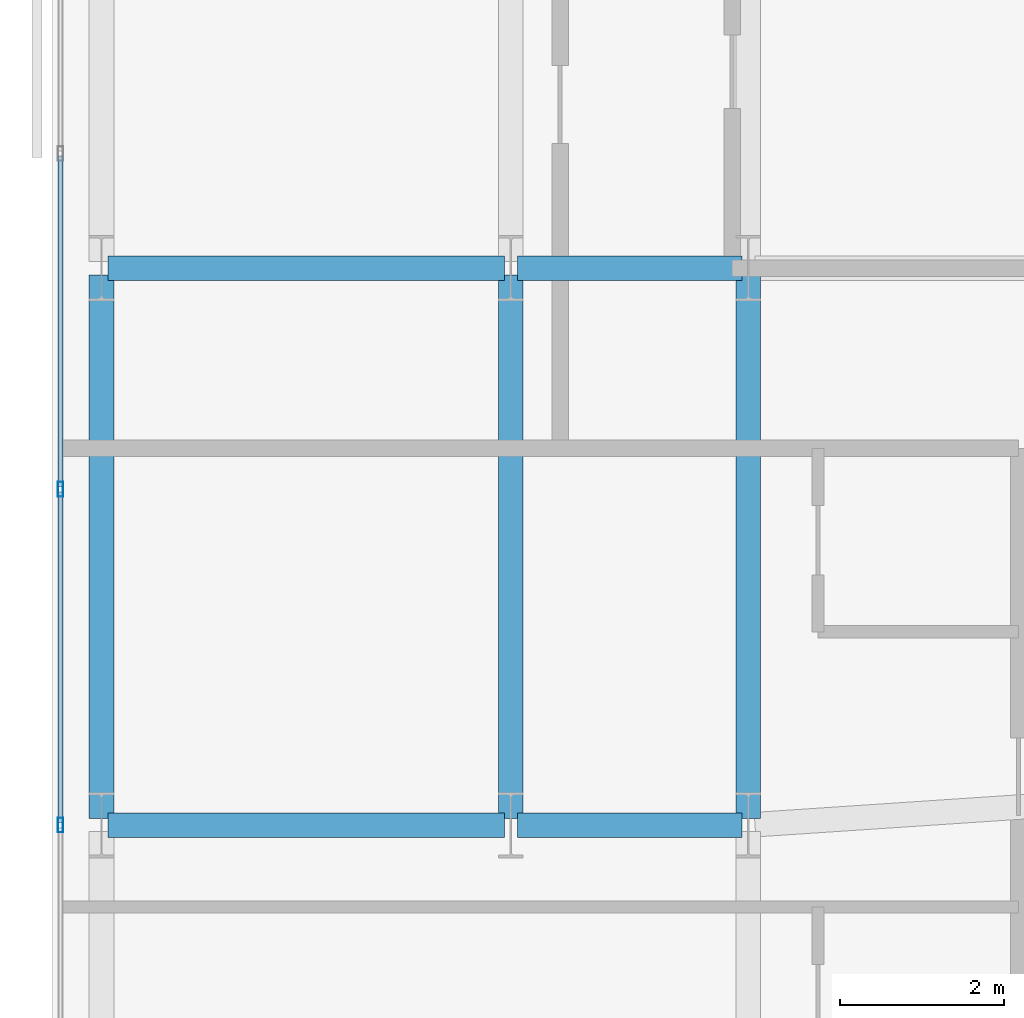
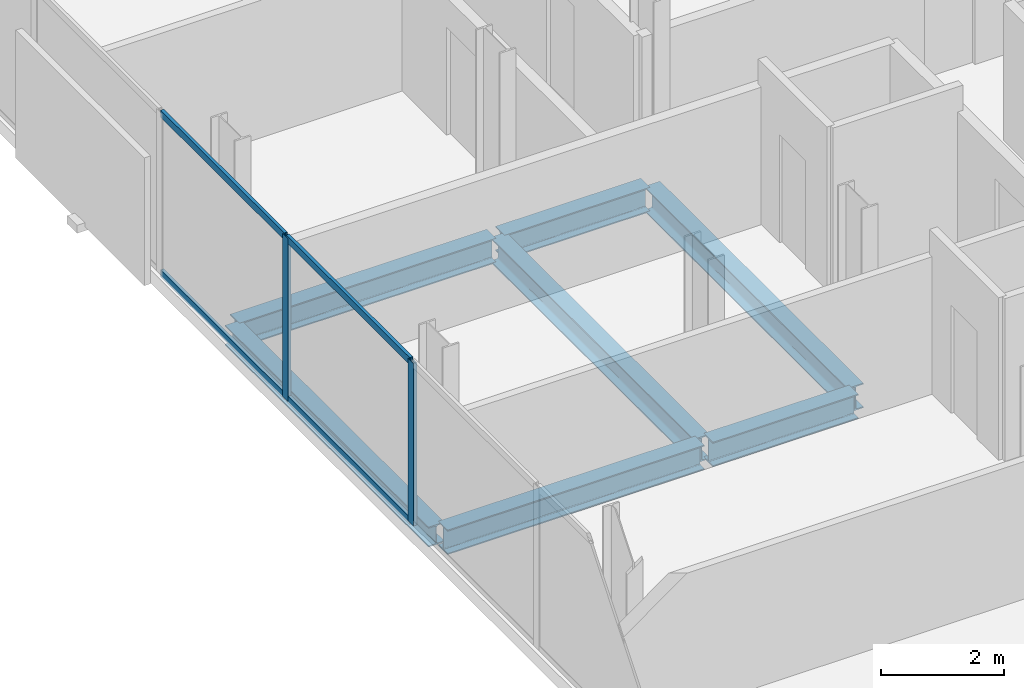
# One storey, part 11 of 33: 7 beams, 6 members, 1 element without a shape of its own.
"""IFC4 building model written with IfcOpenShell, lengths in metres."""

from ifc_helpers import new_model, si_unit, direction, frame, origin, origin_2d, place, context, subcontext, project, spatial, hollow_rectangle, i_section, extrude, material, layer, layer_set, material_profile, profile_set, type_object, element, aggregate, save


model = new_model("IFC4")

# Units and contexts
model_context = context("Model", 3, precision=1e-05, world=origin(), true_north=direction((0.0, 1.0)))
body_context = subcontext(model_context, "Body", "Model", "MODEL_VIEW")
ifc_project = project(units=[si_unit("LENGTHUNIT", "METRE"), si_unit("AREAUNIT", "SQUARE_METRE"), si_unit("VOLUMEUNIT", "CUBIC_METRE"), si_unit("PLANEANGLEUNIT", "RADIAN"), si_unit("MASSUNIT", "GRAM", prefix="KILO")], contexts=[model_context])

# Site, building, storey
site_placement = place(None, origin())
site = spatial("IfcSite", under=ifc_project, at=site_placement, CompositionType="ELEMENT")
building_placement = place(site_placement, origin())
building = spatial("IfcBuilding", under=site, at=building_placement, Name="Catumbela Crestline Tower", CompositionType="ELEMENT")
storey_placement = place(building_placement, frame((0.0, 0.0, 76.2)))
storey = spatial("IfcBuildingStorey", under=building, at=storey_placement, Name="L19", CompositionType="ELEMENT", Elevation=76.2)

# Beams
ifc_material_1 = material(Name="Structural steel S355J2", Category="steel")
ifc_material_profile_1 = material_profile(ifc_material_1, i_section(OverallWidth=0.3, OverallDepth=0.49, WebThickness=0.012, FlangeThickness=0.023, FilletRadius=0.027, at=origin_2d()), Name="HEA 500")
ifc_profile_set_1 = profile_set([ifc_material_profile_1], Name="Structural steel S355J2")
beam_type_1 = type_object("IfcBeamType", Name="BG-HEA500", PredefinedType="BEAM", material=ifc_profile_set_1)
beam_1_placement = place(storey_placement, frame((0.68, 24.0, -0.505), z_axis=(1.0, 0.0, 0.0), x_axis=(0.0, 1.0, 0.0)))
element("IfcBeam", 1, at=beam_1_placement, inside=storey, type_object=beam_type_1, Name="L19 Beam BM-L19-S01", PredefinedType="BEAM", context=body_context, shape_type="SweptSolid", body=[
    extrude(i_section(OverallWidth=0.3, OverallDepth=0.49, WebThickness=0.012, FlangeThickness=0.023, FilletRadius=0.027, at=origin_2d()), origin(), (0.0, 0.0, 1.0), 4.84),
])
beam_2_placement = place(storey_placement, frame((5.68, 24.0, -0.505), z_axis=(1.0, 0.0, 0.0), x_axis=(0.0, 1.0, 0.0)))
element("IfcBeam", 2, at=beam_2_placement, inside=storey, type_object=beam_type_1, Name="L19 Beam BM-L19-S02", PredefinedType="BEAM", context=body_context, shape_type="SweptSolid", body=[
    extrude(i_section(OverallWidth=0.3, OverallDepth=0.49, WebThickness=0.012, FlangeThickness=0.023, FilletRadius=0.027, at=origin_2d()), origin(), (0.0, 0.0, 1.0), 2.74),
])
beam_3_placement = place(storey_placement, frame((0.68, 30.8, -0.505), z_axis=(1.0, 0.0, 0.0), x_axis=(0.0, 1.0, 0.0)))
element("IfcBeam", 3, at=beam_3_placement, inside=storey, type_object=beam_type_1, Name="L19 Beam BM-L19-M07", PredefinedType="BEAM", context=body_context, shape_type="SweptSolid", body=[
    extrude(i_section(OverallWidth=0.3, OverallDepth=0.49, WebThickness=0.012, FlangeThickness=0.023, FilletRadius=0.027, at=origin_2d()), origin(), (0.0, 0.0, 1.0), 4.84),
])
beam_4_placement = place(storey_placement, frame((5.68, 30.8, -0.505), z_axis=(1.0, 0.0, 0.0), x_axis=(0.0, 1.0, 0.0)))
element("IfcBeam", 4, at=beam_4_placement, inside=storey, type_object=beam_type_1, Name="L19 Beam BM-L19-M08", PredefinedType="BEAM", context=body_context, shape_type="SweptSolid", body=[
    extrude(i_section(OverallWidth=0.3, OverallDepth=0.49, WebThickness=0.012, FlangeThickness=0.023, FilletRadius=0.027, at=origin_2d()), origin(), (0.0, 0.0, 1.0), 2.74),
])
for number, where, z_axis, x_axis, name in (
    (5, (5.6, 24.08, -0.505), (0.0, 1.0, 0.0), (-1.0, 0.0, 0.0), "L19 Beam BM-L19-SN27"),
    (6, (8.5, 24.08, -0.505), (0.0, 1.0, 0.0), (-1.0, 0.0, 0.0), "L19 Beam BM-L19-SN29"),
):
    element("IfcBeam", number, at=place(storey_placement, frame(where, z_axis=z_axis, x_axis=x_axis)), inside=storey, type_object=beam_type_1, Name=name, PredefinedType="BEAM", context=body_context, shape_type="SweptSolid", body=[
        extrude(i_section(OverallWidth=0.3, OverallDepth=0.49, WebThickness=0.012, FlangeThickness=0.023, FilletRadius=0.027, at=origin_2d()), origin(), (0.0, 0.0, 1.0), 6.64),
    ])

# Curtain wall, members
ifc_material_2 = material(Name="Aluminium alloy AW-6060-T66", Category="aluminium")
ifc_layer = layer(ifc_material_2, 0.18, Name="Aluminium alloy AW-6060-T66")
ifc_layer_set = layer_set([ifc_layer], Name="Aluminium alloy AW-6060-T66")
curtain_wall_type = type_object("IfcCurtainWallType", Name="CWU-Z1", PredefinedType="USERDEFINED", material=ifc_layer_set)
curtain_wall_placement = place(storey_placement, origin())
curtain_wall = element("IfcCurtainWall", 7, at=curtain_wall_placement, inside=storey, type_object=curtain_wall_type, Name="L19 Unitised Curtain Wall CW-L19-E9S1", ObjectType="UNITISED", PredefinedType="USERDEFINED")
ifc_material_profile_2 = material_profile(ifc_material_2, hollow_rectangle(XDim=0.065, YDim=0.18, WallThickness=0.004, at=origin_2d()), Name="ALU 180x65x4")
ifc_profile_set_2 = profile_set([ifc_material_profile_2], Name="Aluminium alloy AW-6060-T66")
member_type_1 = type_object("IfcMemberType", Name="MUL-180X65", PredefinedType="MULLION", material=ifc_profile_set_2)
member_1_placement = place(storey_placement, frame((0.1, 28.1, 0.0), z_axis=(0.0, 0.0, 1.0), x_axis=(1.0, 0.0, 0.0)))
member_1 = element("IfcMember", 8, at=member_1_placement, type_object=member_type_1, Name="CWU-Z1 mullion 5", PredefinedType="MULLION", context=body_context, shape_type="SweptSolid", body=[
    extrude(hollow_rectangle(XDim=0.065, YDim=0.18, WallThickness=0.004, at=origin_2d()), origin(), (0.0, 0.0, 1.0), 3.24),
])
member_2_placement = place(storey_placement, frame((0.1, 24.0, 0.0), z_axis=(0.0, 0.0, 1.0), x_axis=(1.0, 0.0, 0.0)))
member_2 = element("IfcMember", 9, at=member_2_placement, type_object=member_type_1, Name="CWU-Z1 mullion 6", PredefinedType="MULLION", context=body_context, shape_type="SweptSolid", body=[
    extrude(hollow_rectangle(XDim=0.065, YDim=0.18, WallThickness=0.004, at=origin_2d()), origin(), (0.0, 0.0, 1.0), 3.24),
])

# Beam
ifc_material_profile_3 = material_profile(ifc_material_1, i_section(OverallWidth=0.3, OverallDepth=0.4, WebThickness=0.0135, FlangeThickness=0.024, FilletRadius=0.027, at=origin_2d()), Name="HEB 400")
ifc_profile_set_3 = profile_set([ifc_material_profile_3], Name="Structural steel S355J2")
beam_type_2 = type_object("IfcBeamType", Name="BS-HEB400", PredefinedType="SPANDREL", material=ifc_profile_set_3)
beam_5_placement = place(storey_placement, frame((0.6, 24.08, -0.46), z_axis=(0.0, 1.0, 0.0), x_axis=(-1.0, 0.0, 0.0)))
element("IfcBeam", 10, at=beam_5_placement, inside=storey, type_object=beam_type_2, Name="L19 Spandrel SP-L19-SN25", PredefinedType="SPANDREL", context=body_context, shape_type="SweptSolid", body=[
    extrude(i_section(OverallWidth=0.3, OverallDepth=0.4, WebThickness=0.0135, FlangeThickness=0.024, FilletRadius=0.027, at=origin_2d()), origin(), (0.0, 0.0, 1.0), 6.64),
])

# Member
ifc_material_profile_4 = material_profile(ifc_material_2, hollow_rectangle(XDim=0.06, YDim=0.14, WallThickness=0.004, at=origin_2d()), Name="ALU 140x60x4")
ifc_profile_set_4 = profile_set([ifc_material_profile_4], Name="Aluminium alloy AW-6060-T66")
member_type_2 = type_object("IfcMemberType", Name="TRN-140X60", PredefinedType="USERDEFINED", material=ifc_profile_set_4)
member_3_placement = place(storey_placement, frame((0.1, 32.1675, 0.03), z_axis=(0.0, -1.0, 0.0), x_axis=(1.0, 0.0, 0.0)))
member_3 = element("IfcMember", 11, at=member_3_placement, type_object=member_type_2, Name="CWU-Z1 transom 4.1", ObjectType="TRANSOM", PredefinedType="USERDEFINED", context=body_context, shape_type="SweptSolid", body=[
    extrude(hollow_rectangle(XDim=0.06, YDim=0.14, WallThickness=0.004, at=origin_2d()), origin(), (0.0, 0.0, 1.0), 4.035),
])

member_4_placement = place(storey_placement, frame((0.1, 32.1675, 3.21), z_axis=(0.0, -1.0, 0.0), x_axis=(1.0, 0.0, 0.0)))
member_4 = element("IfcMember", 12, at=member_4_placement, type_object=member_type_2, Name="CWU-Z1 transom 4.2", ObjectType="TRANSOM", PredefinedType="USERDEFINED", context=body_context, shape_type="SweptSolid", body=[
    extrude(hollow_rectangle(XDim=0.06, YDim=0.14, WallThickness=0.004, at=origin_2d()), origin(), (0.0, 0.0, 1.0), 4.035),
])

member_5_placement = place(storey_placement, frame((0.1, 28.0675, 0.03), z_axis=(0.0, -1.0, 0.0), x_axis=(1.0, 0.0, 0.0)))
member_5 = element("IfcMember", 13, at=member_5_placement, type_object=member_type_2, Name="CWU-Z1 transom 5.1", ObjectType="TRANSOM", PredefinedType="USERDEFINED", context=body_context, shape_type="SweptSolid", body=[
    extrude(hollow_rectangle(XDim=0.06, YDim=0.14, WallThickness=0.004, at=origin_2d()), origin(), (0.0, 0.0, 1.0), 4.035),
])

member_6_placement = place(storey_placement, frame((0.1, 28.0675, 3.21), z_axis=(0.0, -1.0, 0.0), x_axis=(1.0, 0.0, 0.0)))
member_6 = element("IfcMember", 14, at=member_6_placement, type_object=member_type_2, Name="CWU-Z1 transom 5.2", ObjectType="TRANSOM", PredefinedType="USERDEFINED", context=body_context, shape_type="SweptSolid", body=[
    extrude(hollow_rectangle(XDim=0.06, YDim=0.14, WallThickness=0.004, at=origin_2d()), origin(), (0.0, 0.0, 1.0), 4.035),
])

aggregate(curtain_wall, [member_1, member_2, member_3, member_4, member_5, member_6])

save(model, "model.ifc")
